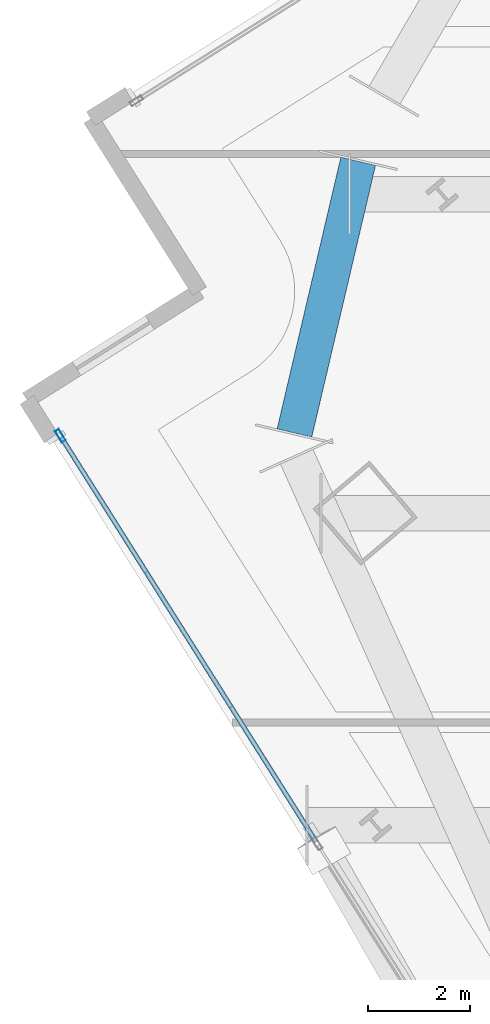
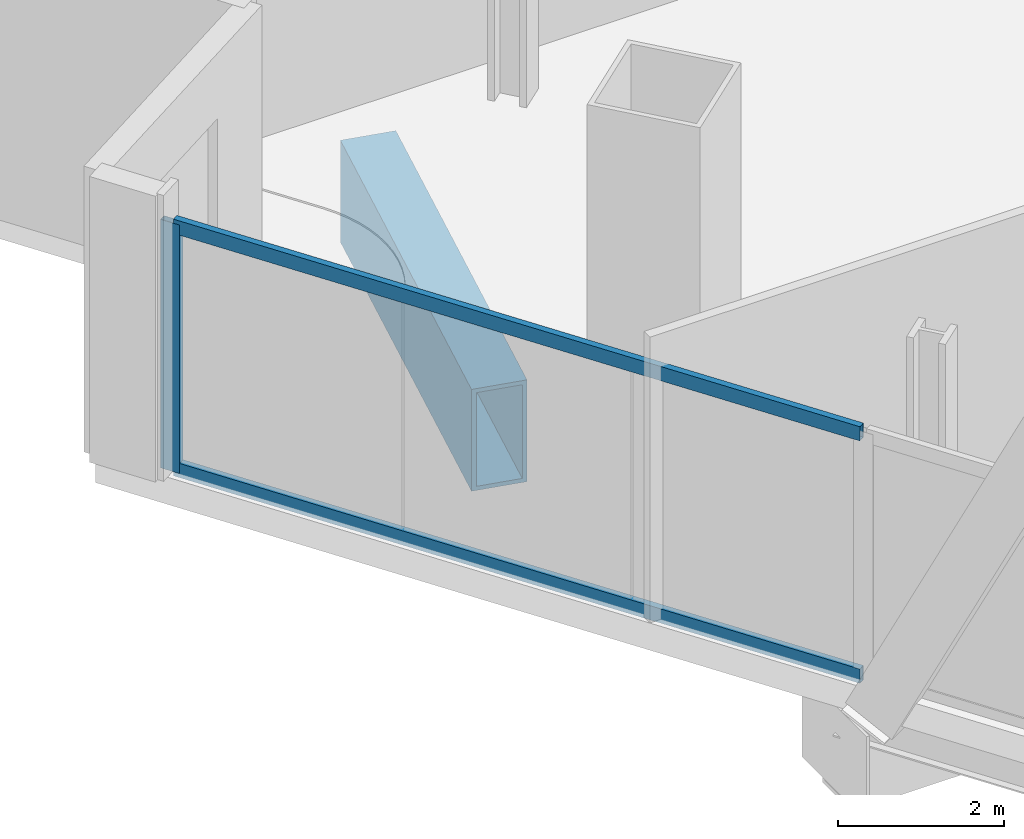
# One storey, part 9 of 29: 3 members, 1 beam, 1 element without a shape of its own.
"""IFC4 building model written with IfcOpenShell, lengths in metres."""

from ifc_helpers import new_model, si_unit, direction, frame, origin, origin_2d, place, context, subcontext, project, spatial, hollow_rectangle, extrude, material, material_profile, profile_set, type_object, element, aggregate, save


model = new_model("IFC4")

# Units and contexts
model_context = context("Model", 3, precision=1e-05, world=origin(), true_north=direction((0.0, 1.0)))
body_context = subcontext(model_context, "Body", "Model", "MODEL_VIEW")
ifc_project = project(units=[si_unit("LENGTHUNIT", "METRE"), si_unit("AREAUNIT", "SQUARE_METRE"), si_unit("VOLUMEUNIT", "CUBIC_METRE"), si_unit("PLANEANGLEUNIT", "RADIAN"), si_unit("MASSUNIT", "GRAM", prefix="KILO")], contexts=[model_context])

# Site, building, storey
site_placement = place(None, origin())
site = spatial("IfcSite", under=ifc_project, at=site_placement, CompositionType="ELEMENT")
building_placement = place(site_placement, origin())
building = spatial("IfcBuilding", under=site, at=building_placement, Name="Haldenkirk Collegiate Tower", CompositionType="ELEMENT")
storey_placement = place(building_placement, frame((0.0, 0.0, 136.199951171875)))
storey = spatial("IfcBuildingStorey", under=building, at=storey_placement, Name="L33", CompositionType="ELEMENT", Elevation=136.199951171875)

# Beam
ifc_material_1 = material(Name="Steel ASTM A572 Grade 50", Category="steel")
ifc_material_profile_1 = material_profile(ifc_material_1, hollow_rectangle(XDim=0.699951171875, YDim=1.5, WallThickness=0.06005859375, at=origin_2d()), Name="BOX1500X700X60")
ifc_profile_set_1 = profile_set([ifc_material_profile_1], Name="Steel ASTM A572 Grade 50")
beam_type = type_object("IfcBeamType", Name="BM-TRANSFER-BOX1500X700X60", PredefinedType="BEAM", material=ifc_profile_set_1)
beam_placement = place(storey_placement, frame((10.624755859375, 34.0087890625, -1.14990234375), z_axis=(-0.228373515871, -0.97357359108, 0.0), x_axis=(0.97357359108, -0.228373515871, 0.0)))
element("IfcBeam", 1, at=beam_placement, inside=storey, type_object=beam_type, Name="L33 sky-lobby perimeter transfer girder 13", PredefinedType="BEAM", context=body_context, shape_type="SweptSolid", body=[
    extrude(hollow_rectangle(XDim=0.699951171875, YDim=1.5, WallThickness=0.06005859375, at=origin_2d()), origin(), (0.0, 0.0, 1.0), 5.477783203125),
])

# Curtain wall, members
ifc_material_2 = material(Name="Anodised architectural bronze aluminium", Category="aluminium")
curtain_wall_type = type_object("IfcCurtainWallType", Name="CW-SYS4-SKYGARDEN", PredefinedType="USERDEFINED", material=ifc_material_2)
curtain_wall_placement = place(storey_placement, origin())
curtain_wall = element("IfcCurtainWall", 2, at=curtain_wall_placement, inside=storey, type_object=curtain_wall_type, Name="L33 Sky-garden tall bronze curtain wall", ObjectType="UNITISED CURTAIN WALL", PredefinedType="USERDEFINED")
ifc_material_profile_2 = material_profile(ifc_material_2, hollow_rectangle(XDim=0.090087890625, YDim=0.260009765625, WallThickness=0.0048828125, at=origin_2d()), Name="CW-MUL-04")
ifc_profile_set_2 = profile_set([ifc_material_profile_2], Name="Anodised architectural bronze aluminium")
member_type_1 = type_object("IfcMemberType", Name="CW-MUL-04", PredefinedType="MULLION", material=ifc_profile_set_2)
member_1_placement = place(storey_placement, frame((4.78076171875, 28.622314453125, 0.0), z_axis=(0.0, 0.0, 1.0), x_axis=(-0.846192099718, -0.532877969496, 0.0)))
member_1 = element("IfcMember", 3, at=member_1_placement, type_object=member_type_1, Name="CW-04 mullion 5", PredefinedType="MULLION", context=body_context, shape_type="SweptSolid", body=[
    extrude(hollow_rectangle(XDim=0.090087890625, YDim=0.260009765625, WallThickness=0.0048828125, at=origin_2d()), origin(), (0.0, 0.0, 1.0), 3.6611328125),
])
ifc_material_profile_3 = material_profile(ifc_material_2, hollow_rectangle(XDim=0.090087890625, YDim=0.2099609375, WallThickness=0.0048828125, at=origin_2d()), Name="CW-TRN-04")
ifc_profile_set_3 = profile_set([ifc_material_profile_3], Name="Anodised architectural bronze aluminium")
member_type_2 = type_object("IfcMemberType", Name="CW-TRN-04", PredefinedType="USERDEFINED", material=ifc_profile_set_3)
member_2_placement = place(storey_placement, frame((9.795166015625, 20.65966796875, 0.045166015625), z_axis=(-0.532866509392, 0.846199316455, 0.0), x_axis=(-0.846199316455, -0.532866509392, 0.0)))
member_2 = element("IfcMember", 4, at=member_2_placement, type_object=member_type_2, Name="CW-04 transom 4.1", ObjectType="TRANSOM", PredefinedType="USERDEFINED", context=body_context, shape_type="SweptSolid", body=[
    extrude(hollow_rectangle(XDim=0.090087890625, YDim=0.2099609375, WallThickness=0.0048828125, at=origin_2d()), origin(), (0.0, 0.0, 1.0), 9.364990234375),
])
member_3_placement = place(storey_placement, frame((9.795166015625, 20.65966796875, 3.615966796875), z_axis=(-0.532866509392, 0.846199316455, 0.0), x_axis=(-0.846199316455, -0.532866509392, 0.0)))
member_3 = element("IfcMember", 5, at=member_3_placement, type_object=member_type_2, Name="CW-04 transom 4.2", ObjectType="TRANSOM", PredefinedType="USERDEFINED", context=body_context, shape_type="SweptSolid", body=[
    extrude(hollow_rectangle(XDim=0.090087890625, YDim=0.2099609375, WallThickness=0.0048828125, at=origin_2d()), origin(), (0.0, 0.0, 1.0), 9.364990234375),
])
aggregate(curtain_wall, [member_1, member_2, member_3])

save(model, "model.ifc")
